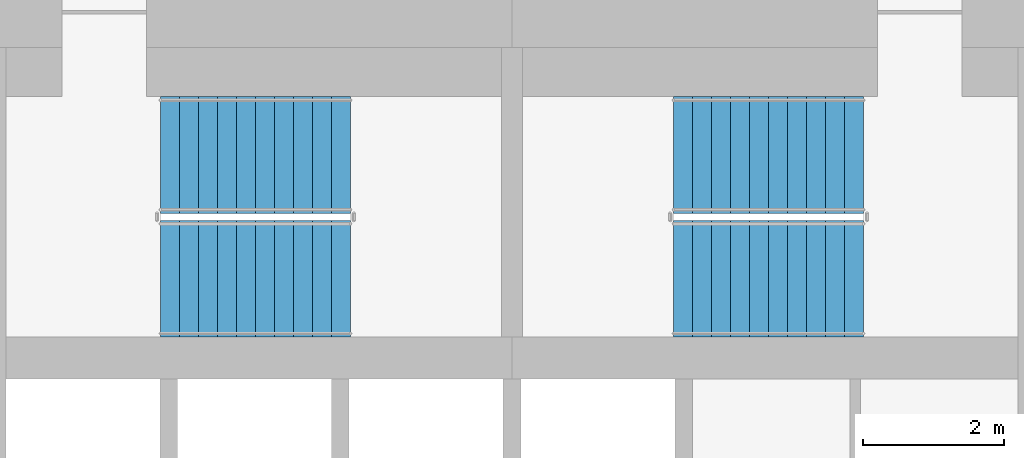
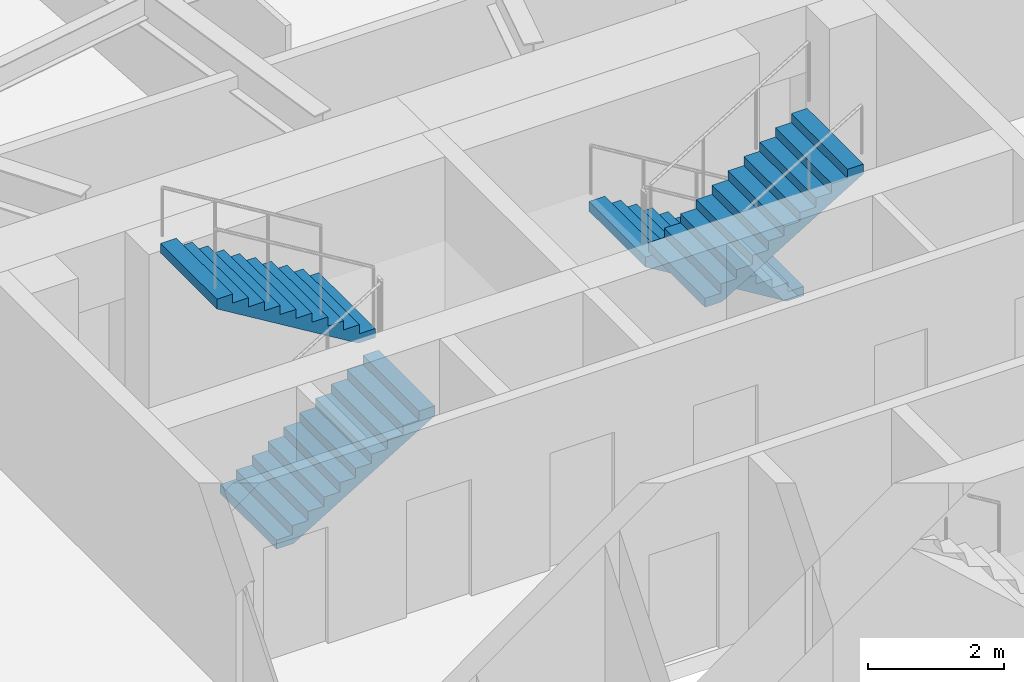
# One storey, part 11 of 14: 4 stair flights, 2 elements without a shape of their own.
"""IFC4 building model written with IfcOpenShell, lengths in metres."""

import ifcopenshell
import ifcopenshell.guid

model = None  # the IFC model being written
_history = None  # IfcOwnerHistory: only IFC2X3 demands one
_inside = {}  # id of a spatial element -> (the spatial element, [elements in it])
_under = {}  # id of a project, library or spatial element -> (it, [spatial elements below it])
_declared = {}  # id of a project -> (the project, [libraries it declares])
_typed = {}  # id of a type object -> (the type object, [elements of that type])
_made_of = {}  # id of a material, layer set ... -> (it, [elements and type objects made of it])


def new_model(schema):
    """Start an empty IFC model of exactly this schema.

    Asked for "IFC4X3", IfcOpenShell would pick the latest addendum, in which some entities
    have other attributes; the version numbers below select the first issue.
    IFC2X3 requires an IfcOwnerHistory on every rooted entity: one is made here for all.
    """
    global model, _history
    if schema == "IFC4X3":
        model = ifcopenshell.file(schema_version=(4, 3, 0, 0))
    else:
        model = ifcopenshell.file(schema=schema)
    _inside.clear()
    _under.clear()
    _declared.clear()
    _typed.clear()
    _made_of.clear()
    _history = None
    if model.schema == "IFC2X3":
        org = make("IfcOrganization", Name="unknown")
        user = make(
            "IfcPersonAndOrganization",
            ThePerson=make("IfcPerson", FamilyName="unknown"),
            TheOrganization=org,
        )
        app = make(
            "IfcApplication",
            ApplicationDeveloper=org,
            Version="unknown",
            ApplicationFullName="unknown",
            ApplicationIdentifier="unknown",
        )
        _history = make(
            "IfcOwnerHistory",
            OwningUser=user,
            OwningApplication=app,
            ChangeAction="ADDED",
            CreationDate=0,
        )
    return model


def make(cls, **values):
    """One entity of the class cls with the attributes given. An attribute that is None is left unset."""
    return model.create_entity(
        cls, **{name: value for name, value in values.items() if value is not None}
    )


def rooted(cls, **values):
    """An entity with a GlobalId (a new one), such as an element, a storey or a relation."""
    return make(cls, GlobalId=ifcopenshell.guid.new(), OwnerHistory=_history, **values)


def si_unit(unit_type, name, prefix=None):
    """IfcSIUnit, for example si_unit("LENGTHUNIT", "METRE", prefix="MILLI")."""
    return make("IfcSIUnit", UnitType=unit_type, Prefix=prefix, Name=name)


def assignment(units):
    """IfcUnitAssignment: the units of a project."""
    return None if units is None else make("IfcUnitAssignment", Units=units)


def point(xyz):
    """IfcCartesianPoint."""
    return None if xyz is None else make("IfcCartesianPoint", Coordinates=xyz)


def direction(xyz):
    """IfcDirection."""
    return None if xyz is None else make("IfcDirection", DirectionRatios=xyz)


def frame(location, z_axis=None, x_axis=None):
    """IfcAxis2Placement3D, a coordinate frame: its origin and axes. An axis left out is left unset."""
    return make(
        "IfcAxis2Placement3D",
        Location=point(location),
        Axis=direction(z_axis),
        RefDirection=direction(x_axis),
    )


def origin():
    """The frame at (0, 0, 0) with its axes left unset."""
    return frame((0.0, 0.0, 0.0))


def place(relative_to, where):
    """IfcLocalPlacement: puts the frame where relative to a parent placement (None: the world)."""
    return make(
        "IfcLocalPlacement", PlacementRelTo=relative_to, RelativePlacement=where
    )


def context(
    kind, dimensions, precision=None, world=None, true_north=None, identifier=None
):
    """IfcGeometricRepresentationContext, for example the 3D "Model" context."""
    return make(
        "IfcGeometricRepresentationContext",
        ContextIdentifier=identifier,
        ContextType=kind,
        CoordinateSpaceDimension=dimensions,
        Precision=precision,
        WorldCoordinateSystem=world,
        TrueNorth=true_north,
    )


def subcontext(parent, identifier, kind, view, scale=None):
    """IfcGeometricRepresentationSubContext, for example "Body" below "Model"."""
    return make(
        "IfcGeometricRepresentationSubContext",
        ContextIdentifier=identifier,
        ContextType=kind,
        ParentContext=parent,
        TargetScale=scale,
        TargetView=view,
    )


def project(units=None, contexts=None):
    """IfcProject with its units and contexts."""
    return rooted(
        "IfcProject",
        Name="project",
        RepresentationContexts=contexts,
        UnitsInContext=assignment(units),
    )


def spatial(cls, under=None, at=None, **own):
    """A site, building, storey or space (cls), placed at a placement, below another one or the project."""
    s = rooted(cls, ObjectPlacement=at, **own)
    if under is not None:
        _under.setdefault(under.id(), (under, []))[1].append(s)
    return s


def polyline(points):
    """IfcPolyline through the points."""
    return make("IfcPolyline", Points=[point(p) for p in points])


def outline(outer, holes=None, kind="AREA"):
    """IfcArbitraryClosedProfileDef: a profile drawn as a closed curve; with holes, ...WithVoids."""
    if holes is None:
        return make("IfcArbitraryClosedProfileDef", ProfileType=kind, OuterCurve=outer)
    return make(
        "IfcArbitraryProfileDefWithVoids",
        ProfileType=kind,
        OuterCurve=outer,
        InnerCurves=holes,
    )


def extrude(swept, where, along, depth):
    """IfcExtrudedAreaSolid: the profile swept, set in the frame where, extruded along a direction by depth."""
    return make(
        "IfcExtrudedAreaSolid",
        SweptArea=swept,
        Position=where,
        ExtrudedDirection=direction(along),
        Depth=depth,
    )


def shape(context_of_items, identifier, shape_type, items):
    """IfcShapeRepresentation: the items that make up one representation, for example the "Body"."""
    return make(
        "IfcShapeRepresentation",
        ContextOfItems=context_of_items,
        RepresentationIdentifier=identifier,
        RepresentationType=shape_type,
        Items=items,
    )


def material(Name=None, Category=None):
    """IfcMaterial."""
    return make("IfcMaterial", Name=Name, Category=Category)


def made_of(thing, what):
    """Note that an element or type object is made of a material, layer set ...; save() writes the relation."""
    if what is not None:
        _made_of.setdefault(what.id(), (what, []))[1].append(thing)
    return thing


def type_object(cls, material=None, **own):
    """A type object (cls), such as IfcWallType, which elements share."""
    return made_of(rooted(cls, **own), material)


def element(
    cls,
    number,
    at=None,
    inside=None,
    cuts=None,
    type_object=None,
    material=None,
    context=None,
    identifier="Body",
    shape_type=None,
    held_by="IfcProductDefinitionShape",
    body=None,
    shapes=None,
    **own,
):
    """One element of the class cls, such as IfcWall. Its Tag is "e" and its number.

    at: its placement. inside: the storey or other place that contains it. cuts: it is an
    opening in that element (IfcRelVoidsElement). A single representation is given by context,
    identifier, shape_type and body (its items); several are given by shapes. held_by: the class
    of the entity that holds the representations. save() writes the other relations.
    """
    e = rooted(cls, Tag="e%d" % number, ObjectPlacement=at, **own)
    if body is not None:
        shapes = [shape(context, identifier, shape_type, body)]
    if shapes is not None:
        e.Representation = make(held_by, Representations=shapes)
    if inside is not None:
        _inside.setdefault(inside.id(), (inside, []))[1].append(e)
    if cuts is not None:
        rooted(
            "IfcRelVoidsElement", RelatingBuildingElement=cuts, RelatedOpeningElement=e
        )
    if type_object is not None:
        _typed.setdefault(type_object.id(), (type_object, []))[1].append(e)
    return made_of(e, material)


def aggregate(whole, parts):
    """IfcRelAggregates: a whole, such as a stair, and the parts it consists of."""
    return rooted("IfcRelAggregates", RelatingObject=whole, RelatedObjects=parts)


def save(model, path):
    """Write the relations noted so far, then the file.

    IfcRelAggregates (storeys below a building ...), IfcRelContainedInSpatialStructure (elements
    in a storey), IfcRelDefinesByType, IfcRelAssociatesMaterial and IfcRelDeclares: one each for
    every whole, place, type object, material and project.
    """
    for whole, parts in _under.values():
        aggregate(whole, parts)
    for where, things in _inside.values():
        rooted(
            "IfcRelContainedInSpatialStructure",
            RelatedElements=things,
            RelatingStructure=where,
        )
    for kind, things in _typed.values():
        rooted("IfcRelDefinesByType", RelatedObjects=things, RelatingType=kind)
    for what, things in _made_of.values():
        rooted("IfcRelAssociatesMaterial", RelatedObjects=things, RelatingMaterial=what)
    for by, libraries in _declared.values():
        rooted("IfcRelDeclares", RelatingContext=by, RelatedDefinitions=libraries)
    model.write(path)


model = new_model("IFC4")

# Units and contexts
model_context = context("Model", 3, precision=1e-05, world=origin(), true_north=direction((0.0, 1.0)))
body_context = subcontext(model_context, "Body", "Model", "MODEL_VIEW")
ifc_project = project(units=[si_unit("LENGTHUNIT", "METRE"), si_unit("AREAUNIT", "SQUARE_METRE"), si_unit("VOLUMEUNIT", "CUBIC_METRE"), si_unit("PLANEANGLEUNIT", "RADIAN"), si_unit("MASSUNIT", "GRAM", prefix="KILO")], contexts=[model_context])

# Site, building, storey
site_placement = place(None, origin())
site = spatial("IfcSite", under=ifc_project, at=site_placement, CompositionType="ELEMENT")
building_placement = place(site_placement, origin())
building = spatial("IfcBuilding", under=site, at=building_placement, Name="Vermilion Reach Broadcast Tower", CompositionType="ELEMENT")
storey_placement = place(building_placement, frame((0.0, 0.0, 117.39990234375)))
storey = spatial("IfcBuildingStorey", under=building, at=storey_placement, Name="L27", CompositionType="ELEMENT", Elevation=117.39990234375)

# Stair, stair flights
ifc_material_1 = material(Name="Concrete C40", Category="concrete")
stair_type = type_object("IfcStairType", Name="Exit stair RC 22 risers 164 mm", PredefinedType="HALF_TURN_STAIR", material=ifc_material_1)
placement = place(storey_placement, origin())
stair_1 = element("IfcStair", 1, at=placement, inside=storey, type_object=stair_type, Name="L27 Exit stair ST1", PredefinedType="HALF_TURN_STAIR")
ifc_material_2 = material(Name="Concrete C40", Category="concrete")
stair_flight_type = type_object("IfcStairFlightType", Name="Exit stair flight RC 11 risers", PredefinedType="STRAIGHT", material=ifc_material_2)
stair_flight_1_placement = place(storey_placement, frame((-11.0, 4.7099609375, 0.0), z_axis=(0.0, 0.0, 1.0), x_axis=(1.0, 0.0, 0.0)))
stair_flight_1 = element("IfcStairFlight", 2, at=stair_flight_1_placement, type_object=stair_flight_type, Name="ST1 flight 1", NumberOfRisers=11, NumberOfTreads=10, PredefinedType="STRAIGHT", RiserHeight=0.163636364, TreadLength=0.27, context=body_context, shape_type="SweptSolid", body=[
    extrude(outline(polyline([(0.0, 0.0), (0.0, 0.16357421875), (0.27001953125, 0.16357421875), (0.27001953125, 0.327392578125), (0.5400390625, 0.327392578125), (0.5400390625, 0.490966796875), (0.81005859375, 0.490966796875), (0.81005859375, 0.654541015625), (1.080078125, 0.654541015625), (1.080078125, 0.818115234375), (1.35009765625, 0.818115234375), (1.35009765625, 0.98193359375), (1.6201171875, 0.98193359375), (1.6201171875, 1.1455078125), (1.889892578125, 1.1455078125), (1.889892578125, 1.30908203125), (2.159912109375, 1.30908203125), (2.159912109375, 1.47265625), (2.429931640625, 1.47265625), (2.429931640625, 1.636474609375), (2.699951171875, 1.636474609375), (2.699951171875, 1.800048828125), (2.699951171875, 1.461181640625), (0.289306640625, 0.0), (0.0, 0.0)])), frame((0.0, 0.830078125, 0.0), z_axis=(0.0, -1.0, 0.0), x_axis=(1.0, 0.0, 0.0)), (0.0, 0.0, 1.0), 1.659912109375),
])
stair_flight_2_placement = place(storey_placement, frame((-8.300048828125, 6.469970703125, 1.800048828125), z_axis=(0.0, 0.0, 1.0), x_axis=(-1.0, 0.0, 0.0)))
stair_flight_2 = element("IfcStairFlight", 3, at=stair_flight_2_placement, type_object=stair_flight_type, Name="ST1 flight 2", NumberOfRisers=11, NumberOfTreads=10, PredefinedType="STRAIGHT", RiserHeight=0.163636364, TreadLength=0.27, context=body_context, shape_type="SweptSolid", body=[
    extrude(outline(polyline([(0.0, 0.0), (0.0, 0.16357421875), (0.27001953125, 0.16357421875), (0.27001953125, 0.327392578125), (0.5400390625, 0.327392578125), (0.5400390625, 0.490966796875), (0.81005859375, 0.490966796875), (0.81005859375, 0.654541015625), (1.080078125, 0.654541015625), (1.080078125, 0.818115234375), (1.35009765625, 0.818115234375), (1.35009765625, 0.98193359375), (1.6201171875, 0.98193359375), (1.6201171875, 1.1455078125), (1.889892578125, 1.1455078125), (1.889892578125, 1.30908203125), (2.159912109375, 1.30908203125), (2.159912109375, 1.47265625), (2.429931640625, 1.47265625), (2.429931640625, 1.636474609375), (2.699951171875, 1.636474609375), (2.699951171875, 1.800048828125), (2.699951171875, 1.461181640625), (0.289306640625, 0.0), (0.0, 0.0)])), frame((0.0, 0.830078125, 0.0), z_axis=(0.0, -1.0, 0.0), x_axis=(1.0, 0.0, 0.0)), (0.0, 0.0, 1.0), 1.659912109375),
])
aggregate(stair_1, [stair_flight_1, stair_flight_2])

stair_2 = element("IfcStair", 4, at=placement, inside=storey, type_object=stair_type, Name="L27 Exit stair ST2", PredefinedType="HALF_TURN_STAIR")
stair_flight_3_placement = place(storey_placement, frame((-1.0, 6.469970703125, 0.0), z_axis=(0.0, 0.0, 1.0), x_axis=(-1.0, 0.0, 0.0)))
stair_flight_3 = element("IfcStairFlight", 5, at=stair_flight_3_placement, type_object=stair_flight_type, Name="ST2 flight 1", NumberOfRisers=11, NumberOfTreads=10, PredefinedType="STRAIGHT", RiserHeight=0.163636364, TreadLength=0.27, context=body_context, shape_type="SweptSolid", body=[
    extrude(outline(polyline([(0.0, 0.0), (0.0, 0.16357421875), (0.27001953125, 0.16357421875), (0.27001953125, 0.327392578125), (0.5400390625, 0.327392578125), (0.5400390625, 0.490966796875), (0.81005859375, 0.490966796875), (0.81005859375, 0.654541015625), (1.080078125, 0.654541015625), (1.080078125, 0.818115234375), (1.35009765625, 0.818115234375), (1.35009765625, 0.98193359375), (1.6201171875, 0.98193359375), (1.6201171875, 1.1455078125), (1.889892578125, 1.1455078125), (1.889892578125, 1.30908203125), (2.159912109375, 1.30908203125), (2.159912109375, 1.47265625), (2.429931640625, 1.47265625), (2.429931640625, 1.636474609375), (2.699951171875, 1.636474609375), (2.699951171875, 1.800048828125), (2.699951171875, 1.461181640625), (0.289306640625, 0.0), (0.0, 0.0)])), frame((0.0, 0.830078125, 0.0), z_axis=(0.0, -1.0, 0.0), x_axis=(1.0, 0.0, 0.0)), (0.0, 0.0, 1.0), 1.659912109375),
])
stair_flight_4_placement = place(storey_placement, frame((-3.699951171875, 4.7099609375, 1.800048828125), z_axis=(0.0, 0.0, 1.0), x_axis=(1.0, 0.0, 0.0)))
stair_flight_4 = element("IfcStairFlight", 6, at=stair_flight_4_placement, type_object=stair_flight_type, Name="ST2 flight 2", NumberOfRisers=11, NumberOfTreads=10, PredefinedType="STRAIGHT", RiserHeight=0.163636364, TreadLength=0.27, context=body_context, shape_type="SweptSolid", body=[
    extrude(outline(polyline([(0.0, 0.0), (0.0, 0.16357421875), (0.27001953125, 0.16357421875), (0.27001953125, 0.327392578125), (0.5400390625, 0.327392578125), (0.5400390625, 0.490966796875), (0.81005859375, 0.490966796875), (0.81005859375, 0.654541015625), (1.080078125, 0.654541015625), (1.080078125, 0.818115234375), (1.35009765625, 0.818115234375), (1.35009765625, 0.98193359375), (1.6201171875, 0.98193359375), (1.6201171875, 1.1455078125), (1.889892578125, 1.1455078125), (1.889892578125, 1.30908203125), (2.159912109375, 1.30908203125), (2.159912109375, 1.47265625), (2.429931640625, 1.47265625), (2.429931640625, 1.636474609375), (2.699951171875, 1.636474609375), (2.699951171875, 1.800048828125), (2.699951171875, 1.461181640625), (0.289306640625, 0.0), (0.0, 0.0)])), frame((0.0, 0.830078125, 0.0), z_axis=(0.0, -1.0, 0.0), x_axis=(1.0, 0.0, 0.0)), (0.0, 0.0, 1.0), 1.659912109375),
])
aggregate(stair_2, [stair_flight_3, stair_flight_4])

save(model, "model.ifc")
